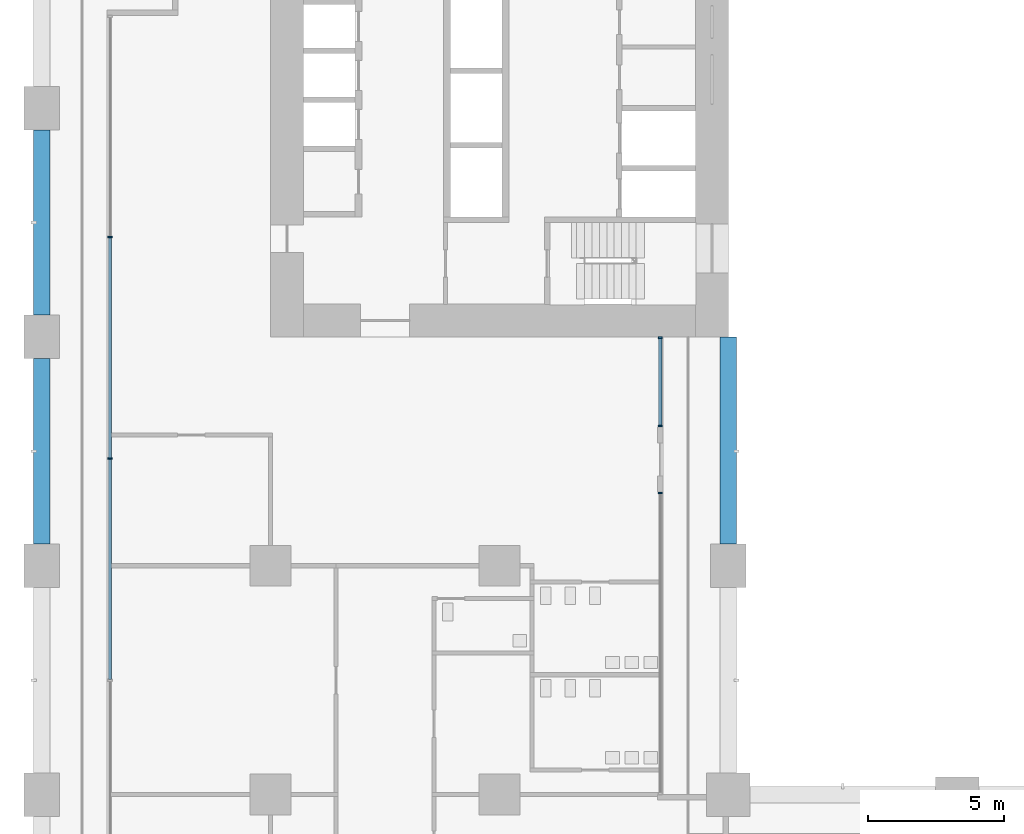
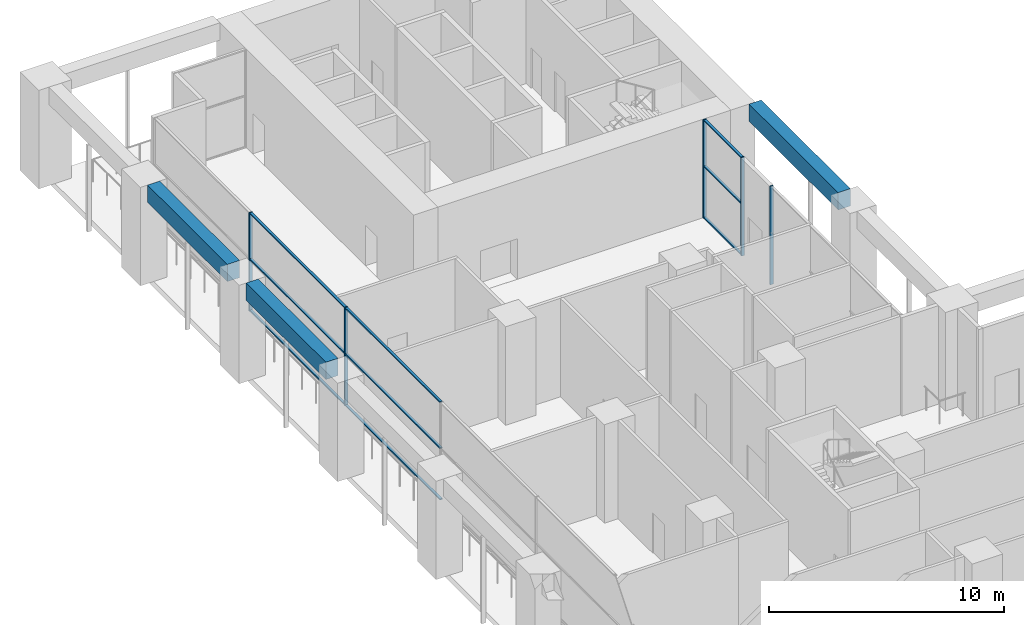
# One storey, part 9 of 32: 14 members, 3 beams, 3 elements without a shape of their own.
"""IFC4 building model written with IfcOpenShell, lengths in metres."""

from ifc_helpers import new_model, si_unit, direction, frame, origin, origin_2d, place, context, subcontext, project, spatial, rectangle, extrude, material, material_profile, profile_set, type_object, element, aggregate, save


model = new_model("IFC4")

# Units and contexts
model_context = context("Model", 3, precision=1e-05, world=origin(), true_north=direction((0.0, 1.0)))
body_context = subcontext(model_context, "Body", "Model", "MODEL_VIEW")
ifc_project = project(units=[si_unit("LENGTHUNIT", "METRE"), si_unit("AREAUNIT", "SQUARE_METRE"), si_unit("VOLUMEUNIT", "CUBIC_METRE"), si_unit("PLANEANGLEUNIT", "RADIAN"), si_unit("MASSUNIT", "GRAM", prefix="KILO")], contexts=[model_context])

# Site, building, storey
site_placement = place(None, origin())
site = spatial("IfcSite", under=ifc_project, at=site_placement, CompositionType="ELEMENT")
building_placement = place(site_placement, origin())
building = spatial("IfcBuilding", under=site, at=building_placement, Name="Vermilion Gate Residences", CompositionType="ELEMENT")
storey_placement = place(building_placement, frame((0.0, 0.0, 19.800048828125)))
storey = spatial("IfcBuildingStorey", under=building, at=storey_placement, Name="L03", CompositionType="ELEMENT", Elevation=19.800048828125)

# Curtain wall, members
ifc_material_1 = material(Name="Aluminium and glass", Category="aluminium")
curtain_wall_type = type_object("IfcCurtainWallType", Name="AMENITY GLAZING CURTAIN WALL", PredefinedType="NOTDEFINED", material=ifc_material_1)
curtain_wall_1_placement = place(storey_placement, origin())
curtain_wall_1 = element("IfcCurtainWall", 1, at=curtain_wall_1_placement, inside=storey, type_object=curtain_wall_type, Name="Amenity Glazing 30", PredefinedType="NOTDEFINED")
ifc_material_2 = material(Name="Aluminium", Category="aluminium")
ifc_material_profile_1 = material_profile(ifc_material_2, rectangle(XDim=0.159912109375, YDim=0.06005859375, at=origin_2d()), Name="MULLION 60 X 160")
ifc_profile_set_1 = profile_set([ifc_material_profile_1], Name="Aluminium")
member_type_1 = type_object("IfcMemberType", Name="AMENITY GLAZING MULLION 60 X 160", PredefinedType="MULLION", material=ifc_profile_set_1)
member_1_placement = place(storey_placement, frame((2.5, 45.666748046875, 0.0), z_axis=(0.0, 0.0, 1.0), x_axis=(1.0, 0.0, 0.0)))
member_1 = element("IfcMember", 2, at=member_1_placement, type_object=member_type_1, Name="ECW2 mullion 2", PredefinedType="MULLION", context=body_context, shape_type="SweptSolid", body=[
    extrude(rectangle(XDim=0.159912109375, YDim=0.06005859375, at=origin_2d()), origin(), (0.0, 0.0, 1.0), 5.119873046875),
])
member_2_placement = place(storey_placement, frame((2.5, 37.533447265625, 0.0), z_axis=(0.0, 0.0, 1.0), x_axis=(1.0, 0.0, 0.0)))
member_2 = element("IfcMember", 3, at=member_2_placement, type_object=member_type_1, Name="ECW2 mullion 3", PredefinedType="MULLION", context=body_context, shape_type="SweptSolid", body=[
    extrude(rectangle(XDim=0.159912109375, YDim=0.06005859375, at=origin_2d()), origin(), (0.0, 0.0, 1.0), 5.119873046875),
])

# Curtain wall, member
curtain_wall_2_placement = place(storey_placement, origin())
curtain_wall_2 = element("IfcCurtainWall", 4, at=curtain_wall_2_placement, inside=storey, type_object=curtain_wall_type, Name="Amenity Glazing 160", PredefinedType="NOTDEFINED")
member_3_placement = place(storey_placement, frame((22.699951171875, 36.27001953125, 0.0), z_axis=(0.0, 0.0, 1.0), x_axis=(-1.0, 0.0, 0.0)))
member_3 = element("IfcMember", 5, at=member_3_placement, type_object=member_type_1, Name="ECW2 mullion 2", PredefinedType="MULLION", context=body_context, shape_type="SweptSolid", body=[
    extrude(rectangle(XDim=0.159912109375, YDim=0.06005859375, at=origin_2d()), origin(), (0.0, 0.0, 1.0), 5.119873046875),
])
aggregate(curtain_wall_2, [member_3])

# Curtain wall, members
curtain_wall_3_placement = place(storey_placement, origin())
curtain_wall_3 = element("IfcCurtainWall", 6, at=curtain_wall_3_placement, inside=storey, type_object=curtain_wall_type, Name="Amenity Glazing 162", PredefinedType="NOTDEFINED")
member_4_placement = place(storey_placement, frame((22.699951171875, 38.72998046875, 0.0), z_axis=(0.0, 0.0, 1.0), x_axis=(-1.0, 0.0, 0.0)))
member_4 = element("IfcMember", 7, at=member_4_placement, type_object=member_type_1, Name="ECW2 mullion 1", PredefinedType="MULLION", context=body_context, shape_type="SweptSolid", body=[
    extrude(rectangle(XDim=0.159912109375, YDim=0.06005859375, at=origin_2d()), origin(), (0.0, 0.0, 1.0), 5.119873046875),
])
member_5_placement = place(storey_placement, frame((22.699951171875, 41.969970703125, 0.0), z_axis=(0.0, 0.0, 1.0), x_axis=(-1.0, 0.0, 0.0)))
member_5 = element("IfcMember", 8, at=member_5_placement, type_object=member_type_1, Name="ECW2 mullion 2", PredefinedType="MULLION", context=body_context, shape_type="SweptSolid", body=[
    extrude(rectangle(XDim=0.159912109375, YDim=0.06005859375, at=origin_2d()), origin(), (0.0, 0.0, 1.0), 5.119873046875),
])

# Member
ifc_material_3 = material(Name="Aluminium", Category="aluminium")
ifc_material_profile_2 = material_profile(ifc_material_3, rectangle(XDim=0.1201171875, YDim=0.06005859375, at=origin_2d()), Name="TRANSOM 60 X 120")
ifc_profile_set_2 = profile_set([ifc_material_profile_2], Name="Aluminium")
member_type_2 = type_object("IfcMemberType", Name="AMENITY GLAZING TRANSOM 60 X 120", PredefinedType="MULLION", material=ifc_profile_set_2)
member_6_placement = place(storey_placement, frame((2.5, 45.63671875, 0.030029296875), z_axis=(0.0, -1.0, 0.0), x_axis=(1.0, 0.0, 0.0)))
member_6 = element("IfcMember", 9, at=member_6_placement, type_object=member_type_2, Name="ECW2 transom 2.1", PredefinedType="MULLION", context=body_context, shape_type="SweptSolid", body=[
    extrude(rectangle(XDim=0.1201171875, YDim=0.06005859375, at=origin_2d()), origin(), (0.0, 0.0, 1.0), 8.073486328125),
])

member_7_placement = place(storey_placement, frame((2.5, 45.63671875, 2.699951171875), z_axis=(0.0, -1.0, 0.0), x_axis=(1.0, 0.0, 0.0)))
member_7 = element("IfcMember", 10, at=member_7_placement, type_object=member_type_2, Name="ECW2 transom 2.2", PredefinedType="MULLION", context=body_context, shape_type="SweptSolid", body=[
    extrude(rectangle(XDim=0.1201171875, YDim=0.06005859375, at=origin_2d()), origin(), (0.0, 0.0, 1.0), 8.073486328125),
])

member_8_placement = place(storey_placement, frame((2.5, 45.63671875, 5.08984375), z_axis=(0.0, -1.0, 0.0), x_axis=(1.0, 0.0, 0.0)))
member_8 = element("IfcMember", 11, at=member_8_placement, type_object=member_type_2, Name="ECW2 transom 2.3", PredefinedType="MULLION", context=body_context, shape_type="SweptSolid", body=[
    extrude(rectangle(XDim=0.1201171875, YDim=0.06005859375, at=origin_2d()), origin(), (0.0, 0.0, 1.0), 8.073486328125),
])

member_9_placement = place(storey_placement, frame((2.5, 37.50341796875, 0.030029296875), z_axis=(0.0, -1.0, 0.0), x_axis=(1.0, 0.0, 0.0)))
member_9 = element("IfcMember", 12, at=member_9_placement, type_object=member_type_2, Name="ECW2 transom 3.1", PredefinedType="MULLION", context=body_context, shape_type="SweptSolid", body=[
    extrude(rectangle(XDim=0.1201171875, YDim=0.06005859375, at=origin_2d()), origin(), (0.0, 0.0, 1.0), 8.073486328125),
])

member_10_placement = place(storey_placement, frame((2.5, 37.50341796875, 2.699951171875), z_axis=(0.0, -1.0, 0.0), x_axis=(1.0, 0.0, 0.0)))
member_10 = element("IfcMember", 13, at=member_10_placement, type_object=member_type_2, Name="ECW2 transom 3.2", PredefinedType="MULLION", context=body_context, shape_type="SweptSolid", body=[
    extrude(rectangle(XDim=0.1201171875, YDim=0.06005859375, at=origin_2d()), origin(), (0.0, 0.0, 1.0), 8.073486328125),
])

member_11_placement = place(storey_placement, frame((2.5, 37.50341796875, 5.08984375), z_axis=(0.0, -1.0, 0.0), x_axis=(1.0, 0.0, 0.0)))
member_11 = element("IfcMember", 14, at=member_11_placement, type_object=member_type_2, Name="ECW2 transom 3.3", PredefinedType="MULLION", context=body_context, shape_type="SweptSolid", body=[
    extrude(rectangle(XDim=0.1201171875, YDim=0.06005859375, at=origin_2d()), origin(), (0.0, 0.0, 1.0), 8.073486328125),
])

aggregate(curtain_wall_1, [member_1, member_2, member_6, member_7, member_8, member_9, member_10, member_11])

member_12_placement = place(storey_placement, frame((22.699951171875, 38.760009765625, 0.030029296875), z_axis=(0.0, 1.0, 0.0), x_axis=(-1.0, 0.0, 0.0)))
member_12 = element("IfcMember", 15, at=member_12_placement, type_object=member_type_2, Name="ECW2 transom 1.1", PredefinedType="MULLION", context=body_context, shape_type="SweptSolid", body=[
    extrude(rectangle(XDim=0.1201171875, YDim=0.06005859375, at=origin_2d()), origin(), (0.0, 0.0, 1.0), 3.179931640625),
])

member_13_placement = place(storey_placement, frame((22.699951171875, 38.760009765625, 2.699951171875), z_axis=(0.0, 1.0, 0.0), x_axis=(-1.0, 0.0, 0.0)))
member_13 = element("IfcMember", 16, at=member_13_placement, type_object=member_type_2, Name="ECW2 transom 1.2", PredefinedType="MULLION", context=body_context, shape_type="SweptSolid", body=[
    extrude(rectangle(XDim=0.1201171875, YDim=0.06005859375, at=origin_2d()), origin(), (0.0, 0.0, 1.0), 3.179931640625),
])

member_14_placement = place(storey_placement, frame((22.699951171875, 38.760009765625, 5.08984375), z_axis=(0.0, 1.0, 0.0), x_axis=(-1.0, 0.0, 0.0)))
member_14 = element("IfcMember", 17, at=member_14_placement, type_object=member_type_2, Name="ECW2 transom 1.3", PredefinedType="MULLION", context=body_context, shape_type="SweptSolid", body=[
    extrude(rectangle(XDim=0.1201171875, YDim=0.06005859375, at=origin_2d()), origin(), (0.0, 0.0, 1.0), 3.179931640625),
])

aggregate(curtain_wall_3, [member_4, member_5, member_12, member_13, member_14])

# Beams
ifc_material_4 = material(Name="Concrete C60 red-oxide pigmented", Category="concrete")
ifc_material_profile_3 = material_profile(ifc_material_4, rectangle(XDim=0.60009765625, YDim=0.89990234375, at=origin_2d()), Name="RC-600x900")
ifc_profile_set_3 = profile_set([ifc_material_profile_3], Name="Concrete C60 red-oxide pigmented")
beam_type = type_object("IfcBeamType", Name="RC EDGE BEAM 600 X 900 C60", PredefinedType="BEAM", material=ifc_profile_set_3)
for number, where, z_axis, x_axis, name in (
    (18, (0.0, 34.39990234375, 4.669921875), (0.0, 1.0, 0.0), (-1.0, 0.0, 0.0), "Edge beam L03 6"),
    (19, (0.0, 42.800048828125, 4.669921875), (0.0, 1.0, 0.0), (-1.0, 0.0, 0.0), "Edge beam L03 7"),
):
    element("IfcBeam", number, at=place(storey_placement, frame(where, z_axis=z_axis, x_axis=x_axis)), inside=storey, type_object=beam_type, Name=name, PredefinedType="BEAM", context=body_context, shape_type="SweptSolid", body=[
        extrude(rectangle(XDim=0.60009765625, YDim=0.89990234375, at=origin_2d()), origin(), (0.0, 0.0, 1.0), 6.800048828125),
    ])
beam_placement = place(storey_placement, frame((25.199951171875, 34.39990234375, 4.669921875), z_axis=(0.0, 1.0, 0.0), x_axis=(-1.0, 0.0, 0.0)))
element("IfcBeam", 20, at=beam_placement, inside=storey, type_object=beam_type, Name="Edge beam L03 13", PredefinedType="BEAM", context=body_context, shape_type="SweptSolid", body=[
    extrude(rectangle(XDim=0.60009765625, YDim=0.89990234375, at=origin_2d()), origin(), (0.0, 0.0, 1.0), 7.60009765625),
])

save(model, "model.ifc")
